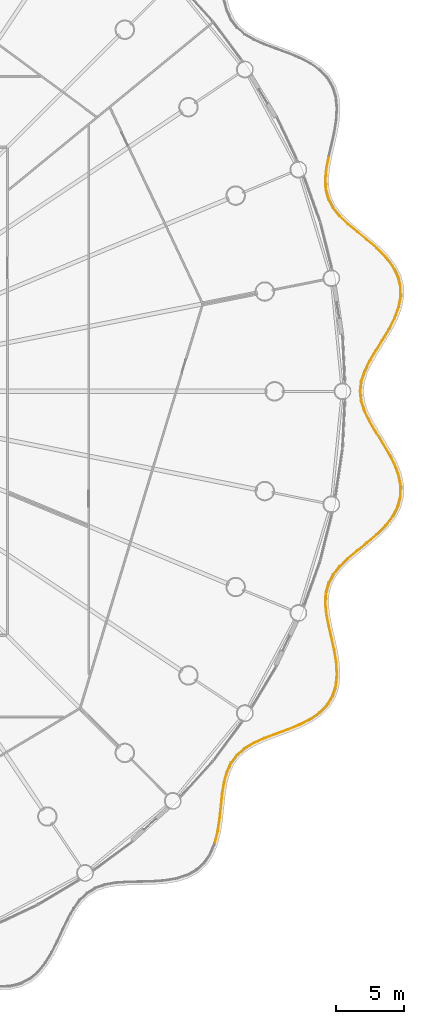
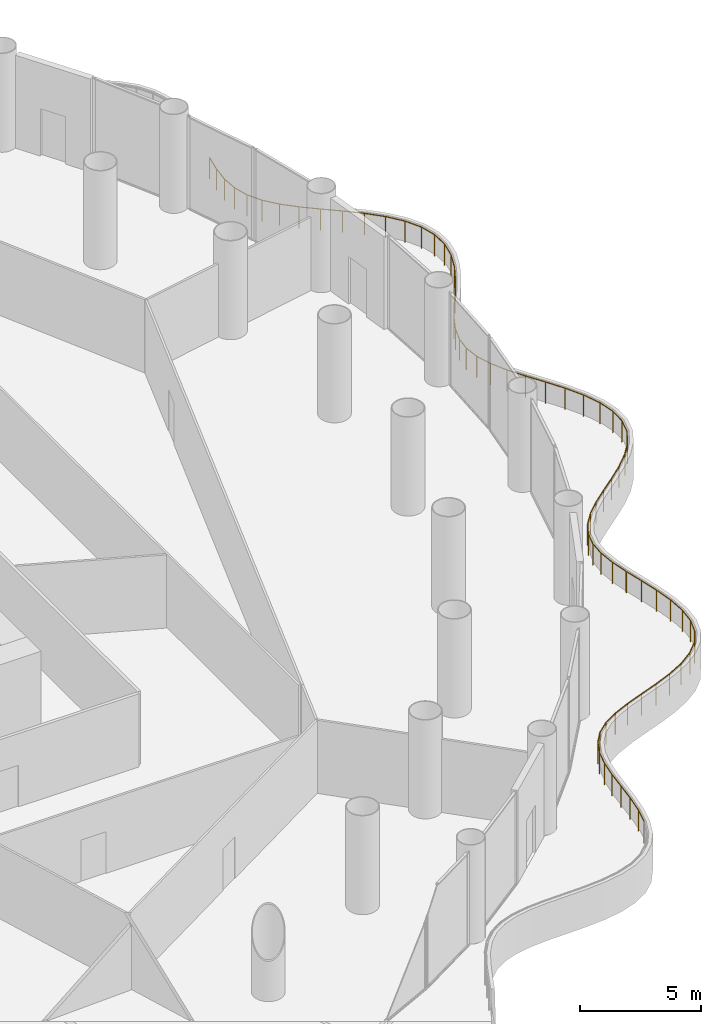
# One storey, part 33 of 35: 3 railings.
"""IFC4 building model written with IfcOpenShell, lengths in metres."""

from ifc_helpers import new_model, si_unit, direction, frame, origin, origin_2d, place, context, subcontext, project, spatial, circle, extrude, material, type_object, element, save


model = new_model("IFC4")

# Units and contexts
model_context = context("Model", 3, precision=1e-05, world=origin(), true_north=direction((0.0, 1.0)))
body_context = subcontext(model_context, "Body", "Model", "MODEL_VIEW")
ifc_project = project(units=[si_unit("LENGTHUNIT", "METRE"), si_unit("AREAUNIT", "SQUARE_METRE"), si_unit("VOLUMEUNIT", "CUBIC_METRE"), si_unit("PLANEANGLEUNIT", "RADIAN"), si_unit("MASSUNIT", "GRAM", prefix="KILO")], contexts=[model_context])

# Site, building, storey
site_placement = place(None, origin())
site = spatial("IfcSite", under=ifc_project, at=site_placement, CompositionType="ELEMENT")
building_placement = place(site_placement, origin())
building = spatial("IfcBuilding", under=site, at=building_placement, Name="Corvane Civic Tower", CompositionType="ELEMENT")
storey_placement = place(building_placement, frame((0.0, 0.0, 22.0)))
storey = spatial("IfcBuildingStorey", under=building, at=storey_placement, Name="L04", CompositionType="ELEMENT", Elevation=22.0)

# Railings
ifc_material = material(Name="Steel ASTM A572 Gr 50", Category="steel")
railing_type = type_object("IfcRailingType", Name="PODIUM-RL-GUARD-1100", PredefinedType="GUARDRAIL", material=ifc_material)
railing_1_placement = place(storey_placement, frame((33.298583984375, -33.268310546875, 0.0)))
element("IfcRailing", 1, at=railing_1_placement, inside=storey, type_object=railing_type, Name="L04 ribbon guard 11", PredefinedType="GUARDRAIL", context=body_context, shape_type="SweptSolid", body=[
    extrude(circle(Radius=0.02392578125, at=origin_2d()), frame((0.0, 0.0, 1.076171875), z_axis=(0.243798365179, 0.96982594167, 0.0), x_axis=(-0.96982594167, 0.243798365179, 0.0)), (0.0, 0.0, 1.0), 0.8642578125),
    extrude(circle(Radius=0.02392578125, at=origin_2d()), frame((0.210693359375, 0.838134765625, 1.076171875), z_axis=(0.151243919607, 0.988496472822, 0.0), x_axis=(-0.988496472822, 0.151243919607, 0.0)), (0.0, 0.0, 1.0), 0.925048828125),
    extrude(circle(Radius=0.02392578125, at=origin_2d()), frame((0.3505859375, 1.75244140625, 1.076171875), z_axis=(0.105038413668, 0.994468165229, 0.0), x_axis=(-0.994468165229, 0.105038413668, 0.0)), (0.0, 0.0, 1.0), 0.934326171875),
    extrude(circle(Radius=0.02392578125, at=origin_2d()), frame((0.44873046875, 2.681640625, 1.076171875), z_axis=(0.105200339755, 0.994451048828, 0.0), x_axis=(-0.994451048828, 0.105200339755, 0.0)), (0.0, 0.0, 1.0), 0.912109375),
    extrude(circle(Radius=0.02392578125, at=origin_2d()), frame((0.544677734375, 3.588623046875, 1.076171875), z_axis=(0.154756611237, 0.987952626029, 0.0), x_axis=(-0.987952626029, 0.154756611237, 0.0)), (0.0, 0.0, 1.0), 0.863037109375),
    extrude(circle(Radius=0.02392578125, at=origin_2d()), frame((0.67822265625, 4.441162109375, 1.076171875), z_axis=(0.259656135813, 0.965701139657, 0.0), x_axis=(-0.965701139657, 0.259656135813, 0.0)), (0.0, 0.0, 1.0), 0.800048828125),
    extrude(circle(Radius=0.02392578125, at=origin_2d()), frame((0.885986328125, 5.2138671875, 1.076171875), z_axis=(0.416936854451, 0.908935453924, 0.0), x_axis=(-0.908935453924, 0.416936854451, 0.0)), (0.0, 0.0, 1.0), 0.744873046875),
    extrude(circle(Radius=0.02392578125, at=origin_2d()), frame((1.196533203125, 5.890869140625, 1.076171875), z_axis=(0.600270968268, 0.799796702078, 0.0), x_axis=(-0.799796702078, 0.600270968268, 0.0)), (0.0, 0.0, 1.0), 0.720703125),
    extrude(circle(Radius=0.02392578125, at=origin_2d()), frame((1.629150390625, 6.46728515625, 1.076171875), z_axis=(0.758462874676, 0.65171624787, 0.0), x_axis=(-0.65171624787, 0.758462874676, 0.0)), (0.0, 0.0, 1.0), 0.73876953125),
    extrude(circle(Radius=0.02392578125, at=origin_2d()), frame((2.189453125, 6.94873046875, 1.076171875), z_axis=(0.861258441546, 0.50816719381, 0.0), x_axis=(-0.50816719381, 0.861258441546, 0.0)), (0.0, 0.0, 1.0), 0.790283203125),
    extrude(circle(Radius=0.02392578125, at=origin_2d()), frame((2.8701171875, 7.350341796875, 1.076171875), z_axis=(0.914541442914, 0.404492211536, 0.0), x_axis=(-0.404492211536, 0.914541442914, 0.0)), (0.0, 0.0, 1.0), 0.853515625),
    extrude(circle(Radius=0.02392578125, at=origin_2d()), frame((3.650634765625, 7.695556640625, 1.076171875), z_axis=(0.936694227346, 0.350148432035, 0.0), x_axis=(-0.350148432035, 0.936694227346, 0.0)), (0.0, 0.0, 1.0), 0.90576171875),
    extrude(circle(Radius=0.02392578125, at=origin_2d()), frame((4.4990234375, 8.0126953125, 1.076171875), z_axis=(0.939295745182, 0.343108587889, 0.0), x_axis=(-0.343108587889, 0.939295745182, 0.0)), (0.0, 0.0, 1.0), 0.932861328125),
    extrude(circle(Radius=0.02392578125, at=origin_2d()), frame((5.375244140625, 8.332763671875, 1.076171875), z_axis=(0.925102308691, 0.379717945921, 0.0), x_axis=(-0.379717945921, 0.925102308691, 0.0)), (0.0, 0.0, 1.0), 0.928466796875),
    extrude(circle(Radius=0.02392578125, at=origin_2d()), frame((6.234130859375, 8.685302734375, 1.076171875), z_axis=(0.888967834328, 0.457969638218, 0.0), x_axis=(-0.457969638218, 0.888967834328, 0.0)), (0.0, 0.0, 1.0), 0.896240234375),
    extrude(circle(Radius=0.02392578125, at=origin_2d()), frame((7.03076171875, 9.095703125, 1.076171875), z_axis=(0.817605639393, 0.575778619291, 0.0), x_axis=(-0.575778619291, 0.817605639393, 0.0)), (0.0, 0.0, 1.0), 0.84814453125),
    extrude(circle(Radius=0.02392578125, at=origin_2d()), frame((7.72412109375, 9.583984375, 1.076171875), z_axis=(0.694828029588, 0.719175923748, 0.0), x_axis=(-0.719175923748, 0.694828029588, 0.0)), (0.0, 0.0, 1.0), 0.80224609375),
    extrude(circle(Radius=0.02392578125, at=origin_2d()), frame((8.281494140625, 10.160888671875, 1.076171875), z_axis=(0.514219236996, 0.857658776148, 0.0), x_axis=(-0.857658776148, 0.514219236996, 0.0)), (0.0, 0.0, 1.0), 0.779052734375),
    extrude(circle(Radius=0.02392578125, at=origin_2d()), frame((8.68212890625, 10.8291015625, 1.076171875), z_axis=(0.29996315275, 0.953950788559, 0.0), x_axis=(-0.953950788559, 0.29996315275, 0.0)), (0.0, 0.0, 1.0), 0.790283203125),
    extrude(circle(Radius=0.02392578125, at=origin_2d()), frame((8.919189453125, 11.5830078125, 1.076171875), z_axis=(0.098600291274, 0.995127118795, 0.0), x_axis=(-0.995127118795, 0.098600291274, 0.0)), (0.0, 0.0, 1.0), 0.82958984375),
    extrude(circle(Radius=0.02392578125, at=origin_2d()), frame((9.0009765625, 12.408447265625, 1.076171875), z_axis=(-0.058298894976, 0.998299173016, 0.0), x_axis=(-0.998299173016, -0.058298894976, 0.0)), (0.0, 0.0, 1.0), 0.87939453125),
    extrude(circle(Radius=0.02392578125, at=origin_2d()), frame((8.94970703125, 13.286376953125, 1.076171875), z_axis=(-0.162504094717, 0.98670786923, 0.0), x_axis=(-0.98670786923, -0.162504094717, 0.0)), (0.0, 0.0, 1.0), 0.91943359375),
    extrude(circle(Radius=0.02392578125, at=origin_2d()), frame((8.80029296875, 14.193603515625, 1.076171875), z_axis=(-0.217566472214, 0.976045506198, 0.0), x_axis=(-0.976045506198, -0.217566472214, 0.0)), (0.0, 0.0, 1.0), 0.934814453125),
    extrude(circle(Radius=0.02392578125, at=origin_2d()), frame((8.596923828125, 15.10595703125, 1.076171875), z_axis=(-0.227410846019, 0.973798904863, 0.0), x_axis=(-0.973798904863, -0.227410846019, 0.0)), (0.0, 0.0, 1.0), 0.894287109375),
    extrude(circle(Radius=0.02099609375, at=origin_2d()), origin(), (0.0, 0.0, 1.0), 1.052001953125),
    extrude(circle(Radius=0.02099609375, at=origin_2d()), frame((0.210693359375, 0.838134765625, 0.0)), (0.0, 0.0, 1.0), 1.052001953125),
    extrude(circle(Radius=0.02099609375, at=origin_2d()), frame((0.3505859375, 1.75244140625, 0.0)), (0.0, 0.0, 1.0), 1.052001953125),
    extrude(circle(Radius=0.02099609375, at=origin_2d()), frame((0.44873046875, 2.681640625, 0.0)), (0.0, 0.0, 1.0), 1.052001953125),
    extrude(circle(Radius=0.02099609375, at=origin_2d()), frame((0.544677734375, 3.588623046875, 0.0)), (0.0, 0.0, 1.0), 1.052001953125),
    extrude(circle(Radius=0.02099609375, at=origin_2d()), frame((0.67822265625, 4.441162109375, 0.0)), (0.0, 0.0, 1.0), 1.052001953125),
    extrude(circle(Radius=0.02099609375, at=origin_2d()), frame((0.885986328125, 5.2138671875, 0.0)), (0.0, 0.0, 1.0), 1.052001953125),
    extrude(circle(Radius=0.02099609375, at=origin_2d()), frame((1.196533203125, 5.890869140625, 0.0)), (0.0, 0.0, 1.0), 1.052001953125),
    extrude(circle(Radius=0.02099609375, at=origin_2d()), frame((1.629150390625, 6.46728515625, 0.0)), (0.0, 0.0, 1.0), 1.052001953125),
    extrude(circle(Radius=0.02099609375, at=origin_2d()), frame((2.189453125, 6.94873046875, 0.0)), (0.0, 0.0, 1.0), 1.052001953125),
    extrude(circle(Radius=0.02099609375, at=origin_2d()), frame((2.8701171875, 7.350341796875, 0.0)), (0.0, 0.0, 1.0), 1.052001953125),
    extrude(circle(Radius=0.02099609375, at=origin_2d()), frame((3.650634765625, 7.695556640625, 0.0)), (0.0, 0.0, 1.0), 1.052001953125),
    extrude(circle(Radius=0.02099609375, at=origin_2d()), frame((4.4990234375, 8.0126953125, 0.0)), (0.0, 0.0, 1.0), 1.052001953125),
    extrude(circle(Radius=0.02099609375, at=origin_2d()), frame((5.375244140625, 8.332763671875, 0.0)), (0.0, 0.0, 1.0), 1.052001953125),
    extrude(circle(Radius=0.02099609375, at=origin_2d()), frame((6.234130859375, 8.685302734375, 0.0)), (0.0, 0.0, 1.0), 1.052001953125),
    extrude(circle(Radius=0.02099609375, at=origin_2d()), frame((7.03076171875, 9.095703125, 0.0)), (0.0, 0.0, 1.0), 1.052001953125),
    extrude(circle(Radius=0.02099609375, at=origin_2d()), frame((7.72412109375, 9.583984375, 0.0)), (0.0, 0.0, 1.0), 1.052001953125),
    extrude(circle(Radius=0.02099609375, at=origin_2d()), frame((8.281494140625, 10.160888671875, 0.0)), (0.0, 0.0, 1.0), 1.052001953125),
    extrude(circle(Radius=0.02099609375, at=origin_2d()), frame((8.68212890625, 10.8291015625, 0.0)), (0.0, 0.0, 1.0), 1.052001953125),
    extrude(circle(Radius=0.02099609375, at=origin_2d()), frame((8.919189453125, 11.5830078125, 0.0)), (0.0, 0.0, 1.0), 1.052001953125),
    extrude(circle(Radius=0.02099609375, at=origin_2d()), frame((9.0009765625, 12.408447265625, 0.0)), (0.0, 0.0, 1.0), 1.052001953125),
    extrude(circle(Radius=0.02099609375, at=origin_2d()), frame((8.94970703125, 13.286376953125, 0.0)), (0.0, 0.0, 1.0), 1.052001953125),
    extrude(circle(Radius=0.02099609375, at=origin_2d()), frame((8.80029296875, 14.193603515625, 0.0)), (0.0, 0.0, 1.0), 1.052001953125),
    extrude(circle(Radius=0.02099609375, at=origin_2d()), frame((8.596923828125, 15.10595703125, 0.0)), (0.0, 0.0, 1.0), 1.052001953125),
    extrude(circle(Radius=0.02099609375, at=origin_2d()), frame((8.3935546875, 15.976806640625, 0.0)), (0.0, 0.0, 1.0), 1.052001953125),
])
railing_2_placement = place(storey_placement, frame((41.681884765625, -17.242431640625, 0.0)))
element("IfcRailing", 2, at=railing_2_placement, inside=storey, type_object=railing_type, Name="L04 ribbon guard 12", PredefinedType="GUARDRAIL", context=body_context, shape_type="SweptSolid", body=[
    extrude(circle(Radius=0.02392578125, at=origin_2d()), frame((0.0, 0.0, 1.076171875), z_axis=(-0.189316196697, 0.981916176498, 0.0), x_axis=(-0.981916176498, -0.189316196697, 0.0)), (0.0, 0.0, 1.0), 0.849853515625),
    extrude(circle(Radius=0.02392578125, at=origin_2d()), frame((-0.160888671875, 0.83447265625, 1.076171875), z_axis=(-0.095432205692, 0.995435931699, 0.0), x_axis=(-0.995435931699, -0.095432205692, 0.0)), (0.0, 0.0, 1.0), 0.8134765625),
    extrude(circle(Radius=0.02392578125, at=origin_2d()), frame((-0.238525390625, 1.644287109375, 1.076171875), z_axis=(0.059196074719, 0.998246374768, 0.0), x_axis=(-0.998246374768, 0.059196074719, 0.0)), (0.0, 0.0, 1.0), 0.754638671875),
    extrude(circle(Radius=0.02392578125, at=origin_2d()), frame((-0.19384765625, 2.397705078125, 1.076171875), z_axis=(0.262917235732, 0.964818390763, 0.0), x_axis=(-0.964818390763, 0.262917235732, 0.0)), (0.0, 0.0, 1.0), 0.722412109375),
    extrude(circle(Radius=0.02392578125, at=origin_2d()), frame((-0.00390625, 3.0947265625, 1.076171875), z_axis=(0.467918389115, 0.883771679298, 0.0), x_axis=(-0.883771679298, 0.467918389115, 0.0)), (0.0, 0.0, 1.0), 0.7314453125),
    extrude(circle(Radius=0.02392578125, at=origin_2d()), frame((0.33837890625, 3.7412109375, 1.076171875), z_axis=(0.624580156462, 0.780960708457, 0.0), x_axis=(-0.780960708457, 0.624580156462, 0.0)), (0.0, 0.0, 1.0), 0.777587890625),
    extrude(circle(Radius=0.02392578125, at=origin_2d()), frame((0.823974609375, 4.348388671875, 1.076171875), z_axis=(0.720341713415, 0.69361935953, 0.0), x_axis=(-0.69361935953, 0.720341713415, 0.0)), (0.0, 0.0, 1.0), 0.840576171875),
    extrude(circle(Radius=0.02392578125, at=origin_2d()), frame((1.429443359375, 4.931396484375, 1.076171875), z_axis=(0.767081743115, 0.641549374078, 0.0), x_axis=(-0.641549374078, 0.767081743115, 0.0)), (0.0, 0.0, 1.0), 0.896484375),
    extrude(circle(Radius=0.02392578125, at=origin_2d()), frame((2.1171875, 5.506591796875, 1.076171875), z_axis=(0.778454436971, 0.627701114831, 0.0), x_axis=(-0.627701114831, 0.778454436971, 0.0)), (0.0, 0.0, 1.0), 0.9296875),
    extrude(circle(Radius=0.02392578125, at=origin_2d()), frame((2.8408203125, 6.090087890625, 1.076171875), z_axis=(0.759737202469, 0.650230253975, 0.0), x_axis=(-0.650230253975, 0.759737202469, 0.0)), (0.0, 0.0, 1.0), 0.931884765625),
    extrude(circle(Radius=0.02392578125, at=origin_2d()), frame((3.548828125, 6.696044921875, 1.076171875), z_axis=(0.707915672801, 0.706296963184, 0.0), x_axis=(-0.706296963184, 0.707915672801, 0.0)), (0.0, 0.0, 1.0), 0.905029296875),
    extrude(circle(Radius=0.02392578125, at=origin_2d()), frame((4.189453125, 7.335205078125, 1.076171875), z_axis=(0.613113400451, 0.789994910229, 0.0), x_axis=(-0.789994910229, 0.613113400451, 0.0)), (0.0, 0.0, 1.0), 0.8583984375),
    extrude(circle(Radius=0.02392578125, at=origin_2d()), frame((4.7158203125, 8.013427734375, 1.076171875), z_axis=(0.46292623074, 0.886396810064, 0.0), x_axis=(-0.886396810064, 0.46292623074, 0.0)), (0.0, 0.0, 1.0), 0.810546875),
    extrude(circle(Radius=0.02392578125, at=origin_2d()), frame((5.091064453125, 8.73193359375, 1.076171875), z_axis=(0.256261899938, 0.966607385985, 0.0), x_axis=(-0.966607385985, 0.256261899938, 0.0)), (0.0, 0.0, 1.0), 0.78125),
    extrude(circle(Radius=0.02392578125, at=origin_2d()), frame((5.291259765625, 9.487060546875, 1.076171875), z_axis=(0.022389409473, 0.999749325753, 0.0), x_axis=(-0.999749325753, 0.022389409473, 0.0)), (0.0, 0.0, 1.0), 0.78515625),
    extrude(circle(Radius=0.02392578125, at=origin_2d()), frame((5.308837890625, 10.27197265625, 1.076171875), z_axis=(-0.19118848471, 0.981553342063, 0.0), x_axis=(-0.981553342063, -0.19118848471, 0.0)), (0.0, 0.0, 1.0), 0.81982421875),
    extrude(circle(Radius=0.02392578125, at=origin_2d()), frame((5.152099609375, 11.07666015625, 1.076171875), z_axis=(-0.352570015987, 0.935785436854, 0.0), x_axis=(-0.935785436854, -0.352570015987, 0.0)), (0.0, 0.0, 1.0), 0.869140625),
    extrude(circle(Radius=0.02392578125, at=origin_2d()), frame((4.845703125, 11.889892578125, 1.076171875), z_axis=(-0.458199986773, 0.888849127873, 0.0), x_axis=(-0.888849127873, -0.458199986773, 0.0)), (0.0, 0.0, 1.0), 0.912841796875),
    extrude(circle(Radius=0.02392578125, at=origin_2d()), frame((4.427490234375, 12.701171875, 1.076171875), z_axis=(-0.515994147529, 0.856592108133, 0.0), x_axis=(-0.856592108133, -0.515994147529, 0.0)), (0.0, 0.0, 1.0), 0.93408203125),
    extrude(circle(Radius=0.02392578125, at=origin_2d()), frame((3.945556640625, 13.501220703125, 1.076171875), z_axis=(-0.532771276531, 0.846259278769, 0.0), x_axis=(-0.846259278769, -0.532771276531, 0.0)), (0.0, 0.0, 1.0), 0.92529296875),
    extrude(circle(Radius=0.02392578125, at=origin_2d()), frame((3.45263671875, 14.2841796875, 1.076171875), z_axis=(-0.508488006291, 0.861069072408, 0.0), x_axis=(-0.861069072408, -0.508488006291, 0.0)), (0.0, 0.0, 1.0), 0.88623046875),
    extrude(circle(Radius=0.02392578125, at=origin_2d()), frame((3.001953125, 15.04736328125, 1.076171875), z_axis=(-0.436077909652, 0.899908915788, 0.0), x_axis=(-0.899908915788, -0.436077909652, 0.0)), (0.0, 0.0, 1.0), 0.826904296875),
    extrude(circle(Radius=0.02392578125, at=origin_2d()), frame((2.641357421875, 15.79150390625, 1.076171875), z_axis=(-0.304150984718, 0.952623838929, 0.0), x_axis=(-0.952623838929, -0.304150984718, 0.0)), (0.0, 0.0, 1.0), 0.765869140625),
    extrude(circle(Radius=0.02392578125, at=origin_2d()), frame((2.408447265625, 16.52099609375, 1.076171875), z_axis=(-0.110775622287, 0.993845441458, 0.0), x_axis=(-0.993845441458, -0.110775622287, 0.0)), (0.0, 0.0, 1.0), 0.700927734375),
    extrude(circle(Radius=0.02099609375, at=origin_2d()), origin(), (0.0, 0.0, 1.0), 1.052001953125),
    extrude(circle(Radius=0.02099609375, at=origin_2d()), frame((-0.160888671875, 0.83447265625, 0.0)), (0.0, 0.0, 1.0), 1.052001953125),
    extrude(circle(Radius=0.02099609375, at=origin_2d()), frame((-0.238525390625, 1.644287109375, 0.0)), (0.0, 0.0, 1.0), 1.052001953125),
    extrude(circle(Radius=0.02099609375, at=origin_2d()), frame((-0.19384765625, 2.397705078125, 0.0)), (0.0, 0.0, 1.0), 1.052001953125),
    extrude(circle(Radius=0.02099609375, at=origin_2d()), frame((-0.00390625, 3.0947265625, 0.0)), (0.0, 0.0, 1.0), 1.052001953125),
    extrude(circle(Radius=0.02099609375, at=origin_2d()), frame((0.33837890625, 3.7412109375, 0.0)), (0.0, 0.0, 1.0), 1.052001953125),
    extrude(circle(Radius=0.02099609375, at=origin_2d()), frame((0.823974609375, 4.348388671875, 0.0)), (0.0, 0.0, 1.0), 1.052001953125),
    extrude(circle(Radius=0.02099609375, at=origin_2d()), frame((1.429443359375, 4.931396484375, 0.0)), (0.0, 0.0, 1.0), 1.052001953125),
    extrude(circle(Radius=0.02099609375, at=origin_2d()), frame((2.1171875, 5.506591796875, 0.0)), (0.0, 0.0, 1.0), 1.052001953125),
    extrude(circle(Radius=0.02099609375, at=origin_2d()), frame((2.8408203125, 6.090087890625, 0.0)), (0.0, 0.0, 1.0), 1.052001953125),
    extrude(circle(Radius=0.02099609375, at=origin_2d()), frame((3.548828125, 6.696044921875, 0.0)), (0.0, 0.0, 1.0), 1.052001953125),
    extrude(circle(Radius=0.02099609375, at=origin_2d()), frame((4.189453125, 7.335205078125, 0.0)), (0.0, 0.0, 1.0), 1.052001953125),
    extrude(circle(Radius=0.02099609375, at=origin_2d()), frame((4.7158203125, 8.013427734375, 0.0)), (0.0, 0.0, 1.0), 1.052001953125),
    extrude(circle(Radius=0.02099609375, at=origin_2d()), frame((5.091064453125, 8.73193359375, 0.0)), (0.0, 0.0, 1.0), 1.052001953125),
    extrude(circle(Radius=0.02099609375, at=origin_2d()), frame((5.291259765625, 9.487060546875, 0.0)), (0.0, 0.0, 1.0), 1.052001953125),
    extrude(circle(Radius=0.02099609375, at=origin_2d()), frame((5.308837890625, 10.27197265625, 0.0)), (0.0, 0.0, 1.0), 1.052001953125),
    extrude(circle(Radius=0.02099609375, at=origin_2d()), frame((5.152099609375, 11.07666015625, 0.0)), (0.0, 0.0, 1.0), 1.052001953125),
    extrude(circle(Radius=0.02099609375, at=origin_2d()), frame((4.845703125, 11.889892578125, 0.0)), (0.0, 0.0, 1.0), 1.052001953125),
    extrude(circle(Radius=0.02099609375, at=origin_2d()), frame((4.427490234375, 12.701171875, 0.0)), (0.0, 0.0, 1.0), 1.052001953125),
    extrude(circle(Radius=0.02099609375, at=origin_2d()), frame((3.945556640625, 13.501220703125, 0.0)), (0.0, 0.0, 1.0), 1.052001953125),
    extrude(circle(Radius=0.02099609375, at=origin_2d()), frame((3.45263671875, 14.2841796875, 0.0)), (0.0, 0.0, 1.0), 1.052001953125),
    extrude(circle(Radius=0.02099609375, at=origin_2d()), frame((3.001953125, 15.04736328125, 0.0)), (0.0, 0.0, 1.0), 1.052001953125),
    extrude(circle(Radius=0.02099609375, at=origin_2d()), frame((2.641357421875, 15.79150390625, 0.0)), (0.0, 0.0, 1.0), 1.052001953125),
    extrude(circle(Radius=0.02099609375, at=origin_2d()), frame((2.408447265625, 16.52099609375, 0.0)), (0.0, 0.0, 1.0), 1.052001953125),
    extrude(circle(Radius=0.02099609375, at=origin_2d()), frame((2.330810546875, 17.217529296875, 0.0)), (0.0, 0.0, 1.0), 1.052001953125),
])
railing_3_placement = place(storey_placement, frame((44.0126953125, 0.02490234375, 0.0)))
element("IfcRailing", 3, at=railing_3_placement, inside=storey, type_object=railing_type, Name="L04 ribbon guard 13", PredefinedType="GUARDRAIL", context=body_context, shape_type="SweptSolid", body=[
    extrude(circle(Radius=0.02392578125, at=origin_2d()), frame((0.0, 0.0, 1.076171875), z_axis=(0.110775622287, 0.993845441458, 0.0), x_axis=(-0.993845441458, 0.110775622287, 0.0)), (0.0, 0.0, 1.0), 0.700927734375),
    extrude(circle(Radius=0.02392578125, at=origin_2d()), frame((0.07763671875, 0.696533203125, 1.076171875), z_axis=(0.304150984718, 0.952623838929, 0.0), x_axis=(-0.952623838929, 0.304150984718, 0.0)), (0.0, 0.0, 1.0), 0.765869140625),
    extrude(circle(Radius=0.02392578125, at=origin_2d()), frame((0.310546875, 1.426025390625, 1.076171875), z_axis=(0.436077909652, 0.899908915788, 0.0), x_axis=(-0.899908915788, 0.436077909652, 0.0)), (0.0, 0.0, 1.0), 0.826904296875),
    extrude(circle(Radius=0.02392578125, at=origin_2d()), frame((0.671142578125, 2.170166015625, 1.076171875), z_axis=(0.508488006291, 0.861069072408, 0.0), x_axis=(-0.861069072408, 0.508488006291, 0.0)), (0.0, 0.0, 1.0), 0.88623046875),
    extrude(circle(Radius=0.02392578125, at=origin_2d()), frame((1.121826171875, 2.933349609375, 1.076171875), z_axis=(0.532771276531, 0.846259278769, 0.0), x_axis=(-0.846259278769, 0.532771276531, 0.0)), (0.0, 0.0, 1.0), 0.92529296875),
    extrude(circle(Radius=0.02392578125, at=origin_2d()), frame((1.61474609375, 3.71630859375, 1.076171875), z_axis=(0.515994147529, 0.856592108133, 0.0), x_axis=(-0.856592108133, 0.515994147529, 0.0)), (0.0, 0.0, 1.0), 0.93408203125),
    extrude(circle(Radius=0.02392578125, at=origin_2d()), frame((2.0966796875, 4.516357421875, 1.076171875), z_axis=(0.458199986773, 0.888849127873, 0.0), x_axis=(-0.888849127873, 0.458199986773, 0.0)), (0.0, 0.0, 1.0), 0.912841796875),
    extrude(circle(Radius=0.02392578125, at=origin_2d()), frame((2.514892578125, 5.32763671875, 1.076171875), z_axis=(0.352570015987, 0.935785436854, 0.0), x_axis=(-0.935785436854, 0.352570015987, 0.0)), (0.0, 0.0, 1.0), 0.869140625),
    extrude(circle(Radius=0.02392578125, at=origin_2d()), frame((2.8212890625, 6.140869140625, 1.076171875), z_axis=(0.19118848471, 0.981553342063, 0.0), x_axis=(-0.981553342063, 0.19118848471, 0.0)), (0.0, 0.0, 1.0), 0.81982421875),
    extrude(circle(Radius=0.02392578125, at=origin_2d()), frame((2.97802734375, 6.945556640625, 1.076171875), z_axis=(-0.022389409473, 0.999749325753, 0.0), x_axis=(-0.999749325753, -0.022389409473, 0.0)), (0.0, 0.0, 1.0), 0.78515625),
    extrude(circle(Radius=0.02392578125, at=origin_2d()), frame((2.96044921875, 7.73046875, 1.076171875), z_axis=(-0.256261899938, 0.966607385985, 0.0), x_axis=(-0.966607385985, -0.256261899938, 0.0)), (0.0, 0.0, 1.0), 0.78125),
    extrude(circle(Radius=0.02392578125, at=origin_2d()), frame((2.76025390625, 8.485595703125, 1.076171875), z_axis=(-0.46292623074, 0.886396810064, 0.0), x_axis=(-0.886396810064, -0.46292623074, 0.0)), (0.0, 0.0, 1.0), 0.810546875),
    extrude(circle(Radius=0.02392578125, at=origin_2d()), frame((2.385009765625, 9.2041015625, 1.076171875), z_axis=(-0.613113400451, 0.789994910229, 0.0), x_axis=(-0.789994910229, -0.613113400451, 0.0)), (0.0, 0.0, 1.0), 0.8583984375),
    extrude(circle(Radius=0.02392578125, at=origin_2d()), frame((1.858642578125, 9.88232421875, 1.076171875), z_axis=(-0.707915672801, 0.706296963184, 0.0), x_axis=(-0.706296963184, -0.707915672801, 0.0)), (0.0, 0.0, 1.0), 0.905029296875),
    extrude(circle(Radius=0.02392578125, at=origin_2d()), frame((1.218017578125, 10.521484375, 1.076171875), z_axis=(-0.759737202469, 0.650230253975, 0.0), x_axis=(-0.650230253975, -0.759737202469, 0.0)), (0.0, 0.0, 1.0), 0.931884765625),
    extrude(circle(Radius=0.02392578125, at=origin_2d()), frame((0.510009765625, 11.12744140625, 1.076171875), z_axis=(-0.778454436971, 0.627701114831, 0.0), x_axis=(-0.627701114831, -0.778454436971, 0.0)), (0.0, 0.0, 1.0), 0.9296875),
    extrude(circle(Radius=0.02392578125, at=origin_2d()), frame((-0.213623046875, 11.7109375, 1.076171875), z_axis=(-0.767081743115, 0.641549374078, 0.0), x_axis=(-0.641549374078, -0.767081743115, 0.0)), (0.0, 0.0, 1.0), 0.896484375),
    extrude(circle(Radius=0.02392578125, at=origin_2d()), frame((-0.9013671875, 12.2861328125, 1.076171875), z_axis=(-0.720341713415, 0.69361935953, 0.0), x_axis=(-0.69361935953, -0.720341713415, 0.0)), (0.0, 0.0, 1.0), 0.840576171875),
    extrude(circle(Radius=0.02392578125, at=origin_2d()), frame((-1.5068359375, 12.869140625, 1.076171875), z_axis=(-0.624580156462, 0.780960708457, 0.0), x_axis=(-0.780960708457, -0.624580156462, 0.0)), (0.0, 0.0, 1.0), 0.777587890625),
    extrude(circle(Radius=0.02392578125, at=origin_2d()), frame((-1.992431640625, 13.476318359375, 1.076171875), z_axis=(-0.467918389115, 0.883771679298, 0.0), x_axis=(-0.883771679298, -0.467918389115, 0.0)), (0.0, 0.0, 1.0), 0.7314453125),
    extrude(circle(Radius=0.02392578125, at=origin_2d()), frame((-2.334716796875, 14.122802734375, 1.076171875), z_axis=(-0.262917235732, 0.964818390763, 0.0), x_axis=(-0.964818390763, -0.262917235732, 0.0)), (0.0, 0.0, 1.0), 0.722412109375),
    extrude(circle(Radius=0.02392578125, at=origin_2d()), frame((-2.524658203125, 14.81982421875, 1.076171875), z_axis=(-0.059196074719, 0.998246374768, 0.0), x_axis=(-0.998246374768, -0.059196074719, 0.0)), (0.0, 0.0, 1.0), 0.754638671875),
    extrude(circle(Radius=0.02392578125, at=origin_2d()), frame((-2.5693359375, 15.5732421875, 1.076171875), z_axis=(0.095432205692, 0.995435931699, 0.0), x_axis=(-0.995435931699, 0.095432205692, 0.0)), (0.0, 0.0, 1.0), 0.8134765625),
    extrude(circle(Radius=0.02392578125, at=origin_2d()), frame((-2.49169921875, 16.383056640625, 1.076171875), z_axis=(0.189316196697, 0.981916176498, 0.0), x_axis=(-0.981916176498, 0.189316196697, 0.0)), (0.0, 0.0, 1.0), 0.849853515625),
    extrude(circle(Radius=0.02099609375, at=origin_2d()), origin(), (0.0, 0.0, 1.0), 1.052001953125),
    extrude(circle(Radius=0.02099609375, at=origin_2d()), frame((0.07763671875, 0.696533203125, 0.0)), (0.0, 0.0, 1.0), 1.052001953125),
    extrude(circle(Radius=0.02099609375, at=origin_2d()), frame((0.310546875, 1.426025390625, 0.0)), (0.0, 0.0, 1.0), 1.052001953125),
    extrude(circle(Radius=0.02099609375, at=origin_2d()), frame((0.671142578125, 2.170166015625, 0.0)), (0.0, 0.0, 1.0), 1.052001953125),
    extrude(circle(Radius=0.02099609375, at=origin_2d()), frame((1.121826171875, 2.933349609375, 0.0)), (0.0, 0.0, 1.0), 1.052001953125),
    extrude(circle(Radius=0.02099609375, at=origin_2d()), frame((1.61474609375, 3.71630859375, 0.0)), (0.0, 0.0, 1.0), 1.052001953125),
    extrude(circle(Radius=0.02099609375, at=origin_2d()), frame((2.0966796875, 4.516357421875, 0.0)), (0.0, 0.0, 1.0), 1.052001953125),
    extrude(circle(Radius=0.02099609375, at=origin_2d()), frame((2.514892578125, 5.32763671875, 0.0)), (0.0, 0.0, 1.0), 1.052001953125),
    extrude(circle(Radius=0.02099609375, at=origin_2d()), frame((2.8212890625, 6.140869140625, 0.0)), (0.0, 0.0, 1.0), 1.052001953125),
    extrude(circle(Radius=0.02099609375, at=origin_2d()), frame((2.97802734375, 6.945556640625, 0.0)), (0.0, 0.0, 1.0), 1.052001953125),
    extrude(circle(Radius=0.02099609375, at=origin_2d()), frame((2.96044921875, 7.73046875, 0.0)), (0.0, 0.0, 1.0), 1.052001953125),
    extrude(circle(Radius=0.02099609375, at=origin_2d()), frame((2.76025390625, 8.485595703125, 0.0)), (0.0, 0.0, 1.0), 1.052001953125),
    extrude(circle(Radius=0.02099609375, at=origin_2d()), frame((2.385009765625, 9.2041015625, 0.0)), (0.0, 0.0, 1.0), 1.052001953125),
    extrude(circle(Radius=0.02099609375, at=origin_2d()), frame((1.858642578125, 9.88232421875, 0.0)), (0.0, 0.0, 1.0), 1.052001953125),
    extrude(circle(Radius=0.02099609375, at=origin_2d()), frame((1.218017578125, 10.521484375, 0.0)), (0.0, 0.0, 1.0), 1.052001953125),
    extrude(circle(Radius=0.02099609375, at=origin_2d()), frame((0.510009765625, 11.12744140625, 0.0)), (0.0, 0.0, 1.0), 1.052001953125),
    extrude(circle(Radius=0.02099609375, at=origin_2d()), frame((-0.213623046875, 11.7109375, 0.0)), (0.0, 0.0, 1.0), 1.052001953125),
    extrude(circle(Radius=0.02099609375, at=origin_2d()), frame((-0.9013671875, 12.2861328125, 0.0)), (0.0, 0.0, 1.0), 1.052001953125),
    extrude(circle(Radius=0.02099609375, at=origin_2d()), frame((-1.5068359375, 12.869140625, 0.0)), (0.0, 0.0, 1.0), 1.052001953125),
    extrude(circle(Radius=0.02099609375, at=origin_2d()), frame((-1.992431640625, 13.476318359375, 0.0)), (0.0, 0.0, 1.0), 1.052001953125),
    extrude(circle(Radius=0.02099609375, at=origin_2d()), frame((-2.334716796875, 14.122802734375, 0.0)), (0.0, 0.0, 1.0), 1.052001953125),
    extrude(circle(Radius=0.02099609375, at=origin_2d()), frame((-2.524658203125, 14.81982421875, 0.0)), (0.0, 0.0, 1.0), 1.052001953125),
    extrude(circle(Radius=0.02099609375, at=origin_2d()), frame((-2.5693359375, 15.5732421875, 0.0)), (0.0, 0.0, 1.0), 1.052001953125),
    extrude(circle(Radius=0.02099609375, at=origin_2d()), frame((-2.49169921875, 16.383056640625, 0.0)), (0.0, 0.0, 1.0), 1.052001953125),
    extrude(circle(Radius=0.02099609375, at=origin_2d()), frame((-2.330810546875, 17.217529296875, 0.0)), (0.0, 0.0, 1.0), 1.052001953125),
])

save(model, "model.ifc")
